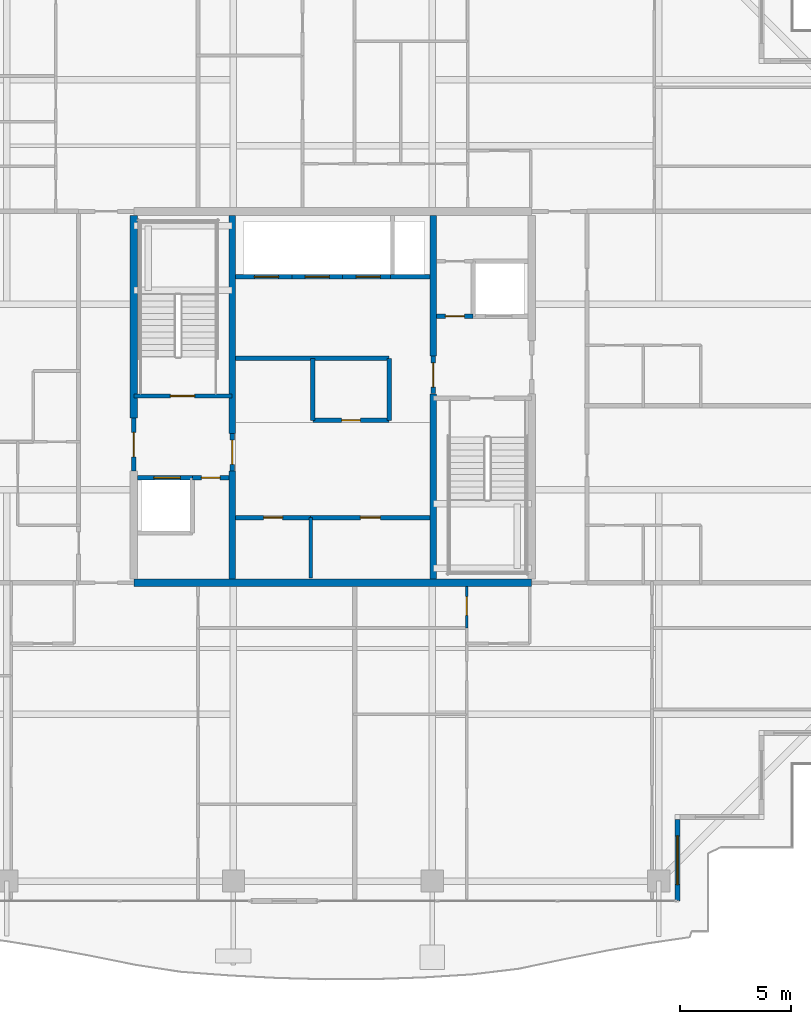
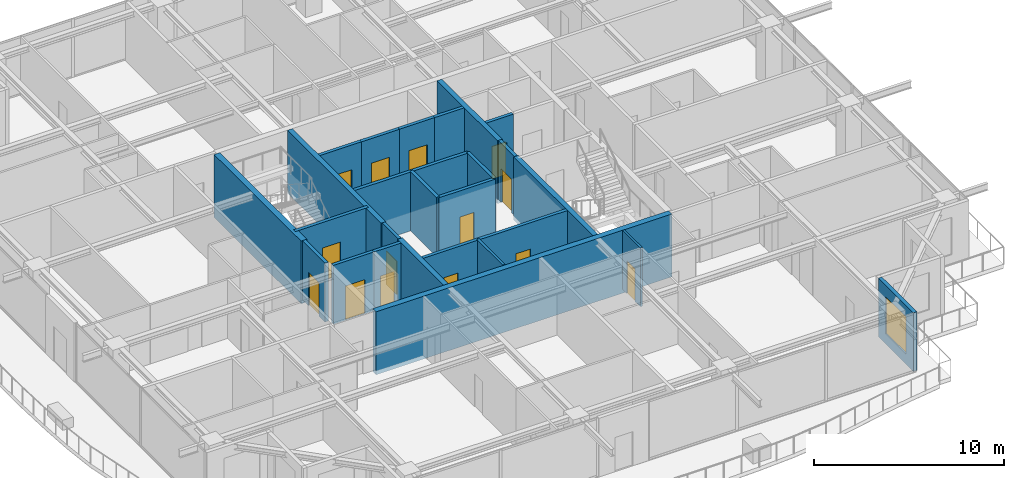
# One storey, part 28 of 38: 26 walls, 14 doors, 1 window, 15 openings.
"""IFC4 building model written with IfcOpenShell, lengths in metres."""

import ifcopenshell
import ifcopenshell.guid

model = None  # the IFC model being written
_history = None  # IfcOwnerHistory: only IFC2X3 demands one
_inside = {}  # id of a spatial element -> (the spatial element, [elements in it])
_under = {}  # id of a project, library or spatial element -> (it, [spatial elements below it])
_declared = {}  # id of a project -> (the project, [libraries it declares])
_typed = {}  # id of a type object -> (the type object, [elements of that type])
_made_of = {}  # id of a material, layer set ... -> (it, [elements and type objects made of it])


def new_model(schema):
    """Start an empty IFC model of exactly this schema.

    Asked for "IFC4X3", IfcOpenShell would pick the latest addendum, in which some entities
    have other attributes; the version numbers below select the first issue.
    IFC2X3 requires an IfcOwnerHistory on every rooted entity: one is made here for all.
    """
    global model, _history
    if schema == "IFC4X3":
        model = ifcopenshell.file(schema_version=(4, 3, 0, 0))
    else:
        model = ifcopenshell.file(schema=schema)
    _inside.clear()
    _under.clear()
    _declared.clear()
    _typed.clear()
    _made_of.clear()
    _history = None
    if model.schema == "IFC2X3":
        org = make("IfcOrganization", Name="unknown")
        user = make(
            "IfcPersonAndOrganization",
            ThePerson=make("IfcPerson", FamilyName="unknown"),
            TheOrganization=org,
        )
        app = make(
            "IfcApplication",
            ApplicationDeveloper=org,
            Version="unknown",
            ApplicationFullName="unknown",
            ApplicationIdentifier="unknown",
        )
        _history = make(
            "IfcOwnerHistory",
            OwningUser=user,
            OwningApplication=app,
            ChangeAction="ADDED",
            CreationDate=0,
        )
    return model


def make(cls, **values):
    """One entity of the class cls with the attributes given. An attribute that is None is left unset."""
    return model.create_entity(
        cls, **{name: value for name, value in values.items() if value is not None}
    )


def rooted(cls, **values):
    """An entity with a GlobalId (a new one), such as an element, a storey or a relation."""
    return make(cls, GlobalId=ifcopenshell.guid.new(), OwnerHistory=_history, **values)


def si_unit(unit_type, name, prefix=None):
    """IfcSIUnit, for example si_unit("LENGTHUNIT", "METRE", prefix="MILLI")."""
    return make("IfcSIUnit", UnitType=unit_type, Prefix=prefix, Name=name)


def assignment(units):
    """IfcUnitAssignment: the units of a project."""
    return None if units is None else make("IfcUnitAssignment", Units=units)


def point(xyz):
    """IfcCartesianPoint."""
    return None if xyz is None else make("IfcCartesianPoint", Coordinates=xyz)


def direction(xyz):
    """IfcDirection."""
    return None if xyz is None else make("IfcDirection", DirectionRatios=xyz)


def frame(location, z_axis=None, x_axis=None):
    """IfcAxis2Placement3D, a coordinate frame: its origin and axes. An axis left out is left unset."""
    return make(
        "IfcAxis2Placement3D",
        Location=point(location),
        Axis=direction(z_axis),
        RefDirection=direction(x_axis),
    )


def frame_2d(location, x_axis=None):
    """IfcAxis2Placement2D, a coordinate frame in the plane: its origin and x axis."""
    return make(
        "IfcAxis2Placement2D", Location=point(location), RefDirection=direction(x_axis)
    )


def origin():
    """The frame at (0, 0, 0) with its axes left unset."""
    return frame((0.0, 0.0, 0.0))


def place(relative_to, where):
    """IfcLocalPlacement: puts the frame where relative to a parent placement (None: the world)."""
    return make(
        "IfcLocalPlacement", PlacementRelTo=relative_to, RelativePlacement=where
    )


def context(
    kind, dimensions, precision=None, world=None, true_north=None, identifier=None
):
    """IfcGeometricRepresentationContext, for example the 3D "Model" context."""
    return make(
        "IfcGeometricRepresentationContext",
        ContextIdentifier=identifier,
        ContextType=kind,
        CoordinateSpaceDimension=dimensions,
        Precision=precision,
        WorldCoordinateSystem=world,
        TrueNorth=true_north,
    )


def subcontext(parent, identifier, kind, view, scale=None):
    """IfcGeometricRepresentationSubContext, for example "Body" below "Model"."""
    return make(
        "IfcGeometricRepresentationSubContext",
        ContextIdentifier=identifier,
        ContextType=kind,
        ParentContext=parent,
        TargetScale=scale,
        TargetView=view,
    )


def project(units=None, contexts=None):
    """IfcProject with its units and contexts."""
    return rooted(
        "IfcProject",
        Name="project",
        RepresentationContexts=contexts,
        UnitsInContext=assignment(units),
    )


def spatial(cls, under=None, at=None, **own):
    """A site, building, storey or space (cls), placed at a placement, below another one or the project."""
    s = rooted(cls, ObjectPlacement=at, **own)
    if under is not None:
        _under.setdefault(under.id(), (under, []))[1].append(s)
    return s


def profile(cls, at=None, kind="AREA", **sizes):
    """A parametric profile (cls). Its sizes go by their IFC names, for example OverallWidth=200.0."""
    return make(cls, ProfileType=kind, Position=at, **sizes)


def rectangle(**sizes):
    """IfcRectangleProfileDef."""
    return profile("IfcRectangleProfileDef", **sizes)


def extrude(swept, where, along, depth):
    """IfcExtrudedAreaSolid: the profile swept, set in the frame where, extruded along a direction by depth."""
    return make(
        "IfcExtrudedAreaSolid",
        SweptArea=swept,
        Position=where,
        ExtrudedDirection=direction(along),
        Depth=depth,
    )


def shape(context_of_items, identifier, shape_type, items):
    """IfcShapeRepresentation: the items that make up one representation, for example the "Body"."""
    return make(
        "IfcShapeRepresentation",
        ContextOfItems=context_of_items,
        RepresentationIdentifier=identifier,
        RepresentationType=shape_type,
        Items=items,
    )


def source(mapping_origin, context_of_items, identifier, shape_type, items):
    """IfcRepresentationMap: a shape defined once, which mapped items show again and again."""
    return make(
        "IfcRepresentationMap",
        MappingOrigin=mapping_origin,
        MappedRepresentation=shape(context_of_items, identifier, shape_type, items),
    )


def transform(
    local_origin,
    x_axis=None,
    y_axis=None,
    z_axis=None,
    scale=None,
    scale2=None,
    scale3=None,
    uniform=True,
):
    """IfcCartesianTransformationOperator3D, or its non-uniform kind. x_axis, y_axis, z_axis: its Axis1, 2, 3."""
    if uniform:
        return make(
            "IfcCartesianTransformationOperator3D",
            Axis1=direction(x_axis),
            Axis2=direction(y_axis),
            LocalOrigin=point(local_origin),
            Scale=scale,
            Axis3=direction(z_axis),
        )
    return make(
        "IfcCartesianTransformationOperator3DnonUniform",
        Axis1=direction(x_axis),
        Axis2=direction(y_axis),
        LocalOrigin=point(local_origin),
        Scale=scale,
        Axis3=direction(z_axis),
        Scale2=scale2,
        Scale3=scale3,
    )


def mapped(mapping_source, mapping_target):
    """IfcMappedItem: shows the shape of a source again, moved by a transform."""
    return make(
        "IfcMappedItem", MappingSource=mapping_source, MappingTarget=mapping_target
    )


def material(Name=None, Category=None):
    """IfcMaterial."""
    return make("IfcMaterial", Name=Name, Category=Category)


def layer(
    of_material, thickness, ventilated=None, Name=None, Category=None, Priority=None
):
    """IfcMaterialLayer: one layer of a wall or slab, of a material (None: an air gap)."""
    return make(
        "IfcMaterialLayer",
        Material=of_material,
        LayerThickness=thickness,
        IsVentilated=ventilated,
        Name=Name,
        Category=Category,
        Priority=Priority,
    )


def layer_set(layers, Name=None):
    """IfcMaterialLayerSet."""
    return make("IfcMaterialLayerSet", MaterialLayers=layers, LayerSetName=Name)


def made_of(thing, what):
    """Note that an element or type object is made of a material, layer set ...; save() writes the relation."""
    if what is not None:
        _made_of.setdefault(what.id(), (what, []))[1].append(thing)
    return thing


def type_object(cls, material=None, **own):
    """A type object (cls), such as IfcWallType, which elements share."""
    return made_of(rooted(cls, **own), material)


def element(
    cls,
    number,
    at=None,
    inside=None,
    cuts=None,
    type_object=None,
    material=None,
    context=None,
    identifier="Body",
    shape_type=None,
    held_by="IfcProductDefinitionShape",
    body=None,
    shapes=None,
    **own,
):
    """One element of the class cls, such as IfcWall. Its Tag is "e" and its number.

    at: its placement. inside: the storey or other place that contains it. cuts: it is an
    opening in that element (IfcRelVoidsElement). A single representation is given by context,
    identifier, shape_type and body (its items); several are given by shapes. held_by: the class
    of the entity that holds the representations. save() writes the other relations.
    """
    e = rooted(cls, Tag="e%d" % number, ObjectPlacement=at, **own)
    if body is not None:
        shapes = [shape(context, identifier, shape_type, body)]
    if shapes is not None:
        e.Representation = make(held_by, Representations=shapes)
    if inside is not None:
        _inside.setdefault(inside.id(), (inside, []))[1].append(e)
    if cuts is not None:
        rooted(
            "IfcRelVoidsElement", RelatingBuildingElement=cuts, RelatedOpeningElement=e
        )
    if type_object is not None:
        _typed.setdefault(type_object.id(), (type_object, []))[1].append(e)
    return made_of(e, material)


def fill(opening, filler):
    """IfcRelFillsElement: the door or window that sits in an opening."""
    return rooted(
        "IfcRelFillsElement",
        RelatingOpeningElement=opening,
        RelatedBuildingElement=filler,
    )


def aggregate(whole, parts):
    """IfcRelAggregates: a whole, such as a stair, and the parts it consists of."""
    return rooted("IfcRelAggregates", RelatingObject=whole, RelatedObjects=parts)


def save(model, path):
    """Write the relations noted so far, then the file.

    IfcRelAggregates (storeys below a building ...), IfcRelContainedInSpatialStructure (elements
    in a storey), IfcRelDefinesByType, IfcRelAssociatesMaterial and IfcRelDeclares: one each for
    every whole, place, type object, material and project.
    """
    for whole, parts in _under.values():
        aggregate(whole, parts)
    for where, things in _inside.values():
        rooted(
            "IfcRelContainedInSpatialStructure",
            RelatedElements=things,
            RelatingStructure=where,
        )
    for kind, things in _typed.values():
        rooted("IfcRelDefinesByType", RelatedObjects=things, RelatingType=kind)
    for what, things in _made_of.values():
        rooted("IfcRelAssociatesMaterial", RelatedObjects=things, RelatingMaterial=what)
    for by, libraries in _declared.values():
        rooted("IfcRelDeclares", RelatingContext=by, RelatedDefinitions=libraries)
    model.write(path)


model = new_model("IFC4")

# Units and contexts
model_context = context("Model", 3, precision=1e-05, world=origin(), true_north=direction((0.0, 1.0)))
body_context = subcontext(model_context, "Body", "Model", "MODEL_VIEW")
ifc_project = project(units=[si_unit("LENGTHUNIT", "METRE"), si_unit("AREAUNIT", "SQUARE_METRE"), si_unit("VOLUMEUNIT", "CUBIC_METRE"), si_unit("PLANEANGLEUNIT", "RADIAN"), si_unit("MASSUNIT", "GRAM", prefix="KILO")], contexts=[model_context])

# Site, building, storey
site_placement = place(None, origin())
site = spatial("IfcSite", under=ifc_project, at=site_placement, CompositionType="ELEMENT")
building_placement = place(site_placement, origin())
building = spatial("IfcBuilding", under=site, at=building_placement, Name="Serunith Strait Residences", CompositionType="ELEMENT")
storey_placement = place(building_placement, frame((0.0, 0.0, 321.800048828125)))
storey = spatial("IfcBuildingStorey", under=building, at=storey_placement, Name="L80", CompositionType="ELEMENT", Elevation=321.800048828125)

# Wall, opening, window
ifc_material_1 = material(Name="Pale-Champagne Aluminium Insulated Panel", Category="aluminium")
ifc_layer_1 = layer(ifc_material_1, 0.219970703125, Name="Pale-Champagne Aluminium Insulated Panel")
ifc_layer_set_1 = layer_set([ifc_layer_1], Name="Pale-Champagne Aluminium Insulated Panel")
wall_type_1 = type_object("IfcWallType", Name="EW-ALUM-220", PredefinedType="ELEMENTEDWALL", material=ifc_layer_set_1)
wall_1_placement = place(storey_placement, frame((48.0, 2.39990234375, 0.0), z_axis=(0.0, 0.0, 1.0), x_axis=(0.0, 1.0, 0.0)))
wall_1 = element("IfcWall", 1, at=wall_1_placement, inside=storey, type_object=wall_type_1, Name="L80 Girih Serrated Corner Wall 02", PredefinedType="ELEMENTEDWALL", context=body_context, shape_type="SweptSolid", body=[
    extrude(rectangle(XDim=3.690185546875, YDim=0.219970703125, at=frame_2d((1.84521484375, 0.0))), origin(), (0.0, 0.0, 1.0), 3.77490234375),
])
opening_1_placement = place(wall_1_placement, frame((0.7451171875, 0.0, 0.64990234375)))
opening_1 = element("IfcOpeningElement", 2, at=opening_1_placement, cuts=wall_1, Name="Opening W-06", PredefinedType="OPENING", context=body_context, shape_type="SweptSolid", body=[
    extrude(rectangle(XDim=2.199951171875, YDim=2.39990234375, at=frame_2d((1.10009765625, 1.199951171875))), frame((0.0, 0.1201171875, 0.0), z_axis=(0.0, -1.0, 0.0), x_axis=(1.0, 0.0, 0.0)), (0.0, 0.0, 1.0), 0.239990234375),
])
ifc_material_2 = material(Name="Crown Penthouse Low-E Operable Window Glass", Category="glass")
window_type = type_object("IfcWindowType", Name="WIN-C6", PartitioningType="TRIPLE_PANEL_VERTICAL", PredefinedType="WINDOW", material=ifc_material_2)
shared_shape_1 = source(origin(), body_context, "Body", "SweptSolid", [
    extrude(rectangle(XDim=2.199951171875, YDim=2.39990234375, at=frame_2d((1.10009765625, 1.199951171875))), frame((0.0, 0.030029296875, 0.0), z_axis=(0.0, -1.0, 0.0), x_axis=(1.0, 0.0, 0.0)), (0.0, 0.0, 1.0), 0.06005859375),
])
window_placement = place(opening_1_placement, origin())
window = element("IfcWindow", 3, at=window_placement, inside=storey, type_object=window_type, Name="L80 Corner Operable Fritted Window 02", OverallHeight=2.39990234375, OverallWidth=2.199951171875, PartitioningType="SINGLE_PANEL", PredefinedType="WINDOW", context=body_context, shape_type="MappedRepresentation", body=[
    mapped(shared_shape_1, transform((0.0, 0.0, 0.0), scale=1.0)),
])
fill(opening_1, window)

# Wall
ifc_material_3 = material(Name="Fire-rated masonry service closet wall", Category="masonry")
ifc_layer_2 = layer(ifc_material_3, 0.14990234375, Name="Fire-rated masonry service closet wall")
ifc_layer_set_2 = layer_set([ifc_layer_2], Name="Fire-rated masonry service closet wall")
wall_type_2 = type_object("IfcWallType", Name="IW-BOH-150", PredefinedType="PARTITIONING", material=ifc_layer_set_2)
wall_2_placement = place(storey_placement, frame((31.39990234375, 17.02001953125, 0.0), z_axis=(0.0, 0.0, 1.0), x_axis=(0.0, 1.0, 0.0)))
element("IfcWall", 4, at=wall_2_placement, inside=storey, type_object=wall_type_2, Name="L80 Partition Wall 014", PredefinedType="PARTITIONING", context=body_context, shape_type="SweptSolid", body=[
    extrude(rectangle(XDim=2.72998046875, YDim=0.14990234375, at=frame_2d((1.364990234375, 0.0))), origin(), (0.0, 0.0, 1.0), 3.7900390625),
])

# Wall, opening, door
ifc_material_4 = material(Name="Lightweight steel-stud gypsum partition", Category="steel")
ifc_layer_3 = layer(ifc_material_4, 0.1201171875, Name="Lightweight steel-stud gypsum partition")
ifc_layer_set_3 = layer_set([ifc_layer_3], Name="Lightweight steel-stud gypsum partition")
wall_type_3 = type_object("IfcWallType", Name="IW-PART-120", PredefinedType="PARTITIONING", material=ifc_layer_set_3)
wall_3_placement = place(storey_placement, frame((38.4599609375, 14.751953125, 0.0), z_axis=(0.0, 0.0, 1.0), x_axis=(0.0, 1.0, 0.0)))
wall_3 = element("IfcWall", 5, at=wall_3_placement, inside=storey, type_object=wall_type_3, Name="L80 Partition Wall 050", PredefinedType="PARTITIONING", context=body_context, shape_type="SweptSolid", body=[
    extrude(rectangle(XDim=1.873046875, YDim=0.1201171875, at=frame_2d((0.9365234375, 0.0))), origin(), (0.0, 0.0, 1.0), 3.7900390625),
])
opening_2_placement = place(wall_3_placement, frame((0.574951171875, 0.0, 0.0)))
opening_2 = element("IfcOpeningElement", 6, at=opening_2_placement, cuts=wall_3, Name="Opening D-BTH850", PredefinedType="OPENING", context=body_context, shape_type="SweptSolid", body=[
    extrude(rectangle(XDim=0.85009765625, YDim=2.10009765625, at=frame_2d((0.425048828125, 1.050048828125))), frame((0.0, 0.070068359375, 0.0), z_axis=(0.0, -1.0, 0.0), x_axis=(1.0, 0.0, 0.0)), (0.0, 0.0, 1.0), 0.14013671875),
])
ifc_material_5 = material(Name="Moisture-resistant timber bathroom door", Category="wood")
door_type_1 = type_object("IfcDoorType", Name="ID-BATH-850", OperationType="NOTDEFINED", PredefinedType="DOOR", material=ifc_material_5)
shared_shape_2 = source(origin(), body_context, "Body", "SweptSolid", [
    extrude(rectangle(XDim=0.85009765625, YDim=2.10009765625, at=frame_2d((0.425048828125, 1.050048828125))), frame((0.0, 0.02490234375, 0.0), z_axis=(0.0, -1.0, 0.0), x_axis=(1.0, 0.0, 0.0)), (0.0, 0.0, 1.0), 0.050048828125),
])
door_1_placement = place(opening_2_placement, origin())
door_1 = element("IfcDoor", 7, at=door_1_placement, inside=storey, type_object=door_type_1, Name="L80 Bathroom 8002 Door", OperationType="SINGLE_SWING_RIGHT", OverallHeight=2.10009765625, OverallWidth=0.85009765625, PredefinedType="DOOR", context=body_context, shape_type="MappedRepresentation", body=[
    mapped(shared_shape_2, transform((0.0, 0.0, 0.0), scale=1.0)),
])
fill(opening_2, door_1)

ifc_material_6 = material(Name="Autoclaved aerated concrete blockwork", Category="masonry")
ifc_layer_4 = layer(ifc_material_6, 0.199951171875, Name="Autoclaved aerated concrete blockwork")
ifc_layer_set_4 = layer_set([ifc_layer_4], Name="Autoclaved aerated concrete blockwork")
wall_type_4 = type_object("IfcWallType", Name="IW-SHAFT-200", PredefinedType="STANDARD", material=ifc_layer_set_4)
wall_4_placement = place(storey_placement, frame((23.39990234375, 25.25, 0.0), z_axis=(0.0, 0.0, 1.0), x_axis=(1.0, 0.0, 0.0)))
wall_4 = element("IfcWall", 8, at=wall_4_placement, inside=storey, type_object=wall_type_4, Name="L80 ST-1 South Shaft Wall", PredefinedType="STANDARD", context=body_context, shape_type="SweptSolid", body=[
    extrude(rectangle(XDim=4.4501953125, YDim=0.199951171875, at=frame_2d((2.22509765625, 0.0))), origin(), (0.0, 0.0, 1.0), 3.7900390625),
])
opening_3_placement = place(wall_4_placement, frame((1.64990234375, 0.0, 0.0)))
opening_3 = element("IfcOpeningElement", 9, at=opening_3_placement, cuts=wall_4, Name="Opening FD-1100", PredefinedType="OPENING", context=body_context, shape_type="SweptSolid", body=[
    extrude(rectangle(XDim=1.10009765625, YDim=2.14990234375, at=frame_2d((0.550048828125, 1.074951171875))), frame((0.0, 0.10986328125, 0.0), z_axis=(0.0, -1.0, 0.0), x_axis=(1.0, 0.0, 0.0)), (0.0, 0.0, 1.0), 0.219970703125),
])
ifc_material_7 = material(Name="Galvanised steel fire door leaf", Category="steel")
door_type_2 = type_object("IfcDoorType", Name="FD-STAIR-1100", OperationType="NOTDEFINED", PredefinedType="DOOR", material=ifc_material_7)
shared_shape_3 = source(origin(), body_context, "Body", "SweptSolid", [
    extrude(rectangle(XDim=1.10009765625, YDim=2.14990234375, at=frame_2d((0.550048828125, 1.074951171875))), frame((0.0, 0.02490234375, 0.0), z_axis=(0.0, -1.0, 0.0), x_axis=(1.0, 0.0, 0.0)), (0.0, 0.0, 1.0), 0.050048828125),
])
door_2_placement = place(opening_3_placement, origin())
door_2 = element("IfcDoor", 10, at=door_2_placement, inside=storey, type_object=door_type_2, Name="L80 ST-1 Escape Stair Door", OperationType="SINGLE_SWING_RIGHT", OverallHeight=2.14990234375, OverallWidth=1.10009765625, PredefinedType="DOOR", context=body_context, shape_type="MappedRepresentation", body=[
    mapped(shared_shape_3, transform((0.0, 0.0, 0.0), scale=1.0)),
])
fill(opening_3, door_2)

wall_5_placement = place(storey_placement, frame((23.574951171875, 21.550048828125, 0.0), z_axis=(0.0, 0.0, 1.0), x_axis=(1.0, 0.0, 0.0)))
wall_5 = element("IfcWall", 11, at=wall_5_placement, inside=storey, type_object=wall_type_4, Name="L80 FL-1 North Shaft Wall", PredefinedType="STANDARD", context=body_context, shape_type="SweptSolid", body=[
    extrude(rectangle(XDim=2.47509765625, YDim=0.199951171875, at=frame_2d((1.237548828125, 0.0))), origin(), (0.0, 0.0, 1.0), 3.7900390625),
])
opening_4_placement = place(wall_5_placement, frame((0.72509765625, 0.0, 0.0)))
opening_4 = element("IfcOpeningElement", 12, at=opening_4_placement, cuts=wall_5, Name="Opening LD-FF1200", PredefinedType="OPENING", context=body_context, shape_type="SweptSolid", body=[
    extrude(rectangle(XDim=1.199951171875, YDim=2.199951171875, at=frame_2d((0.60009765625, 1.10009765625))), frame((0.0, 0.10986328125, 0.0), z_axis=(0.0, -1.0, 0.0), x_axis=(1.0, 0.0, 0.0)), (0.0, 0.0, 1.0), 0.219970703125),
])
ifc_material_8 = material(Name="Brushed stainless steel landing door", Category="steel")
door_type_3 = type_object("IfcDoorType", Name="LD-FF-1200", OperationType="DOUBLE_DOOR_SLIDING", PredefinedType="DOOR", material=ifc_material_8)
shared_shape_4 = source(origin(), body_context, "Body", "SweptSolid", [
    extrude(rectangle(XDim=1.199951171875, YDim=2.199951171875, at=frame_2d((0.60009765625, 1.10009765625))), frame((0.0, 0.02490234375, 0.0), z_axis=(0.0, -1.0, 0.0), x_axis=(1.0, 0.0, 0.0)), (0.0, 0.0, 1.0), 0.050048828125),
])
door_3_placement = place(opening_4_placement, origin())
door_3 = element("IfcDoor", 13, at=door_3_placement, inside=storey, type_object=door_type_3, Name="L80 FL-1 Landing Door", OperationType="DOUBLE_DOOR_SLIDING", OverallHeight=2.199951171875, OverallWidth=1.199951171875, PredefinedType="DOOR", context=body_context, shape_type="MappedRepresentation", body=[
    mapped(shared_shape_4, transform((0.0, 0.0, 0.0), scale=1.0)),
])
fill(opening_4, door_3)

wall_6_placement = place(storey_placement, frame((28.0, 30.64990234375, 0.0), z_axis=(0.0, 0.0, 1.0), x_axis=(1.0, 0.0, 0.0)))
wall_6 = element("IfcWall", 14, at=wall_6_placement, inside=storey, type_object=wall_type_4, Name="L80 PL-7 South Shaft Wall", PredefinedType="STANDARD", context=body_context, shape_type="SweptSolid", body=[
    extrude(rectangle(XDim=2.550048828125, YDim=0.199951171875, at=frame_2d((1.27490234375, 0.0))), origin(), (0.0, 0.0, 1.0), 3.7900390625),
])
opening_5_placement = place(wall_6_placement, frame((0.85009765625, 0.0, 0.0)))
opening_5 = element("IfcOpeningElement", 15, at=opening_5_placement, cuts=wall_6, Name="Opening LD-1100", PredefinedType="OPENING", context=body_context, shape_type="SweptSolid", body=[
    extrude(rectangle(XDim=1.10009765625, YDim=2.199951171875, at=frame_2d((0.550048828125, 1.10009765625))), frame((0.0, 0.10986328125, 0.0), z_axis=(0.0, -1.0, 0.0), x_axis=(1.0, 0.0, 0.0)), (0.0, 0.0, 1.0), 0.219970703125),
])
ifc_material_9 = material(Name="Pale-champagne stainless landing door")
door_type_4 = type_object("IfcDoorType", Name="LD-LIFT-1100", OperationType="DOUBLE_DOOR_SLIDING", PredefinedType="DOOR", material=ifc_material_9)
shared_shape_5 = source(origin(), body_context, "Body", "SweptSolid", [
    extrude(rectangle(XDim=1.10009765625, YDim=2.199951171875, at=frame_2d((0.550048828125, 1.10009765625))), frame((0.0, 0.02490234375, 0.0), z_axis=(0.0, -1.0, 0.0), x_axis=(1.0, 0.0, 0.0)), (0.0, 0.0, 1.0), 0.050048828125),
])
door_4_placement = place(opening_5_placement, origin())
door_4 = element("IfcDoor", 16, at=door_4_placement, inside=storey, type_object=door_type_4, Name="L80 PL-7 Landing Door", OperationType="DOUBLE_DOOR_SLIDING", OverallHeight=2.199951171875, OverallWidth=1.10009765625, PredefinedType="DOOR", context=body_context, shape_type="MappedRepresentation", body=[
    mapped(shared_shape_5, transform((0.0, 0.0, 0.0), scale=1.0)),
])
fill(opening_5, door_4)

wall_7_placement = place(storey_placement, frame((30.550048828125, 30.64990234375, 0.0), z_axis=(0.0, 0.0, 1.0), x_axis=(1.0, 0.0, 0.0)))
wall_7 = element("IfcWall", 17, at=wall_7_placement, inside=storey, type_object=wall_type_4, Name="L80 PL-8 South Shaft Wall", PredefinedType="STANDARD", context=body_context, shape_type="SweptSolid", body=[
    extrude(rectangle(XDim=2.300048828125, YDim=0.199951171875, at=frame_2d((1.14990234375, 0.0))), origin(), (0.0, 0.0, 1.0), 3.7900390625),
])
opening_6_placement = place(wall_7_placement, frame((0.60009765625, 0.0, 0.0)))
opening_6 = element("IfcOpeningElement", 18, at=opening_6_placement, cuts=wall_7, Name="Opening LD-1100", PredefinedType="OPENING", context=body_context, shape_type="SweptSolid", body=[
    extrude(rectangle(XDim=1.10009765625, YDim=2.199951171875, at=frame_2d((0.550048828125, 1.10009765625))), frame((0.0, 0.10986328125, 0.0), z_axis=(0.0, -1.0, 0.0), x_axis=(1.0, 0.0, 0.0)), (0.0, 0.0, 1.0), 0.219970703125),
])
door_5_placement = place(opening_6_placement, origin())
door_5 = element("IfcDoor", 19, at=door_5_placement, inside=storey, type_object=door_type_4, Name="L80 PL-8 Landing Door", OperationType="DOUBLE_DOOR_SLIDING", OverallHeight=2.199951171875, OverallWidth=1.10009765625, PredefinedType="DOOR", context=body_context, shape_type="MappedRepresentation", body=[
    mapped(shared_shape_5, transform((0.0, 0.0, 0.0), scale=1.0)),
])
fill(opening_6, door_5)

wall_8_placement = place(storey_placement, frame((32.85009765625, 30.64990234375, 0.0), z_axis=(0.0, 0.0, 1.0), x_axis=(1.0, 0.0, 0.0)))
wall_8 = element("IfcWall", 20, at=wall_8_placement, inside=storey, type_object=wall_type_4, Name="L80 PL-9 South Shaft Wall", PredefinedType="STANDARD", context=body_context, shape_type="SweptSolid", body=[
    extrude(rectangle(XDim=2.14990234375, YDim=0.199951171875, at=frame_2d((1.074951171875, 0.0))), origin(), (0.0, 0.0, 1.0), 3.7900390625),
])
opening_7_placement = place(wall_8_placement, frame((0.60009765625, 0.0, 0.0)))
opening_7 = element("IfcOpeningElement", 21, at=opening_7_placement, cuts=wall_8, Name="Opening LD-1100", PredefinedType="OPENING", context=body_context, shape_type="SweptSolid", body=[
    extrude(rectangle(XDim=1.10009765625, YDim=2.199951171875, at=frame_2d((0.550048828125, 1.10009765625))), frame((0.0, 0.10986328125, 0.0), z_axis=(0.0, -1.0, 0.0), x_axis=(1.0, 0.0, 0.0)), (0.0, 0.0, 1.0), 0.219970703125),
])
door_6_placement = place(opening_7_placement, origin())
door_6 = element("IfcDoor", 22, at=door_6_placement, inside=storey, type_object=door_type_4, Name="L80 PL-9 Landing Door", OperationType="DOUBLE_DOOR_SLIDING", OverallHeight=2.199951171875, OverallWidth=1.10009765625, PredefinedType="DOOR", context=body_context, shape_type="MappedRepresentation", body=[
    mapped(shared_shape_5, transform((0.0, 0.0, 0.0), scale=1.0)),
])
fill(opening_7, door_6)

# Wall
wall_9_placement = place(storey_placement, frame((35.0, 30.64990234375, 0.0), z_axis=(0.0, 0.0, 1.0), x_axis=(1.0, 0.0, 0.0)))
element("IfcWall", 23, at=wall_9_placement, inside=storey, type_object=wall_type_4, Name="L80 SL-1 South Shaft Wall", PredefinedType="STANDARD", context=body_context, shape_type="SweptSolid", body=[
    extrude(rectangle(XDim=1.800048828125, YDim=0.199951171875, at=frame_2d((0.89990234375, 0.0))), origin(), (0.0, 0.0, 1.0), 3.7900390625),
])

# Wall, opening, door
wall_10_placement = place(storey_placement, frame((26.052001953125, 21.550048828125, 0.0), z_axis=(0.0, 0.0, 1.0), x_axis=(1.0, 0.0, 0.0)))
wall_10 = element("IfcWall", 24, at=wall_10_placement, inside=storey, type_object=wall_type_4, Name="L80 Partition Wall 003", PredefinedType="STANDARD", context=body_context, shape_type="SweptSolid", body=[
    extrude(rectangle(XDim=1.64794921875, YDim=0.199951171875, at=frame_2d((0.823974609375, 0.0))), origin(), (0.0, 0.0, 1.0), 3.7900390625),
])
opening_8_placement = place(wall_10_placement, frame((0.39892578125, 0.0, 0.0)))
opening_8 = element("IfcOpeningElement", 25, at=opening_8_placement, cuts=wall_10, Name="Opening FD-850", PredefinedType="OPENING", context=body_context, shape_type="SweptSolid", body=[
    extrude(rectangle(XDim=0.85009765625, YDim=2.10009765625, at=frame_2d((0.425048828125, 1.050048828125))), frame((0.0, 0.10986328125, 0.0), z_axis=(0.0, -1.0, 0.0), x_axis=(1.0, 0.0, 0.0)), (0.0, 0.0, 1.0), 0.219970703125),
])
ifc_material_10 = material(Name="Powder-coated steel service closet door", Category="steel")
door_type_5 = type_object("IfcDoorType", Name="FD-BOH-850", OperationType="NOTDEFINED", PredefinedType="DOOR", material=ifc_material_10)
door_7_placement = place(opening_8_placement, origin())
door_7 = element("IfcDoor", 26, at=door_7_placement, inside=storey, type_object=door_type_5, Name="L80 South-West Core Service Door", OperationType="SINGLE_SWING_LEFT", OverallHeight=2.10009765625, OverallWidth=0.85009765625, PredefinedType="DOOR", context=body_context, shape_type="MappedRepresentation", body=[
    mapped(shared_shape_2, transform((0.0, 0.0, 0.0), scale=1.0)),
])
fill(opening_8, door_7)

wall_11_placement = place(storey_placement, frame((37.10009765625, 28.85009765625, 0.0), z_axis=(0.0, 0.0, 1.0), x_axis=(1.0, 0.0, 0.0)))
wall_11 = element("IfcWall", 27, at=wall_11_placement, inside=storey, type_object=wall_type_4, Name="L80 Partition Wall 006", PredefinedType="STANDARD", context=body_context, shape_type="SweptSolid", body=[
    extrude(rectangle(XDim=1.64794921875, YDim=0.199951171875, at=frame_2d((0.823974609375, 0.0))), origin(), (0.0, 0.0, 1.0), 3.7900390625),
])
opening_9_placement = place(wall_11_placement, frame((0.39892578125, 0.0, 0.0)))
opening_9 = element("IfcOpeningElement", 28, at=opening_9_placement, cuts=wall_11, Name="Opening FD-850", PredefinedType="OPENING", context=body_context, shape_type="SweptSolid", body=[
    extrude(rectangle(XDim=0.85009765625, YDim=2.10009765625, at=frame_2d((0.425048828125, 1.050048828125))), frame((0.0, 0.10986328125, 0.0), z_axis=(0.0, -1.0, 0.0), x_axis=(1.0, 0.0, 0.0)), (0.0, 0.0, 1.0), 0.219970703125),
])
door_8_placement = place(opening_9_placement, origin())
door_8 = element("IfcDoor", 29, at=door_8_placement, inside=storey, type_object=door_type_5, Name="L80 North-East Core Service Door", OperationType="SINGLE_SWING_RIGHT", OverallHeight=2.10009765625, OverallWidth=0.85009765625, PredefinedType="DOOR", context=body_context, shape_type="MappedRepresentation", body=[
    mapped(shared_shape_2, transform((0.0, 0.0, 0.0), scale=1.0)),
])
fill(opening_9, door_8)

wall_12_placement = place(storey_placement, frame((23.39990234375, 21.85205078125, 0.0), z_axis=(0.0, 0.0, 1.0), x_axis=(0.0, 1.0, 0.0)))
wall_12 = element("IfcWall", 30, at=wall_12_placement, inside=storey, type_object=wall_type_4, Name="L80 Partition Wall 007", PredefinedType="STANDARD", context=body_context, shape_type="SweptSolid", body=[
    extrude(rectangle(XDim=2.39599609375, YDim=0.199951171875, at=frame_2d((1.197998046875, 0.0))), origin(), (0.0, 0.0, 1.0), 3.7900390625),
])
opening_10_placement = place(wall_12_placement, frame((0.64794921875, 0.0, 0.0)))
opening_10 = element("IfcOpeningElement", 31, at=opening_10_placement, cuts=wall_12, Name="Opening FD-FFL", PredefinedType="OPENING", context=body_context, shape_type="SweptSolid", body=[
    extrude(rectangle(XDim=1.10009765625, YDim=2.14990234375, at=frame_2d((0.550048828125, 1.074951171875))), frame((0.0, 0.10986328125, 0.0), z_axis=(0.0, -1.0, 0.0), x_axis=(1.0, 0.0, 0.0)), (0.0, 0.0, 1.0), 0.219970703125),
])
ifc_material_11 = material(Name="Glazed steel smoke-lobby fire door", Category="steel")
door_type_6 = type_object("IfcDoorType", Name="FD-FFL-1100", OperationType="NOTDEFINED", PredefinedType="DOOR", material=ifc_material_11)
door_9_placement = place(opening_10_placement, origin())
door_9 = element("IfcDoor", 32, at=door_9_placement, inside=storey, type_object=door_type_6, Name="L80 FFL-1 Corridor Fire Door", OperationType="SINGLE_SWING_LEFT", OverallHeight=2.14990234375, OverallWidth=1.10009765625, PredefinedType="DOOR", context=body_context, shape_type="MappedRepresentation", body=[
    mapped(shared_shape_3, transform((0.0, 0.0, 0.0), scale=1.0)),
])
fill(opening_10, door_9)

wall_13_placement = place(storey_placement, frame((27.85009765625, 21.85205078125, 0.0), z_axis=(0.0, 0.0, 1.0), x_axis=(0.0, 1.0, 0.0)))
wall_13 = element("IfcWall", 33, at=wall_13_placement, inside=storey, type_object=wall_type_4, Name="L80 Partition Wall 009", PredefinedType="STANDARD", context=body_context, shape_type="SweptSolid", body=[
    extrude(rectangle(XDim=1.696044921875, YDim=0.199951171875, at=frame_2d((0.84814453125, 0.0))), origin(), (0.0, 0.0, 1.0), 3.7900390625),
])
opening_11_placement = place(wall_13_placement, frame((0.298095703125, 0.0, 0.0)))
opening_11 = element("IfcOpeningElement", 34, at=opening_11_placement, cuts=wall_13, Name="Opening FD-FFL", PredefinedType="OPENING", context=body_context, shape_type="SweptSolid", body=[
    extrude(rectangle(XDim=1.10009765625, YDim=2.14990234375, at=frame_2d((0.550048828125, 1.074951171875))), frame((0.0, 0.10986328125, 0.0), z_axis=(0.0, -1.0, 0.0), x_axis=(1.0, 0.0, 0.0)), (0.0, 0.0, 1.0), 0.219970703125),
])
door_10_placement = place(opening_11_placement, origin())
door_10 = element("IfcDoor", 35, at=door_10_placement, inside=storey, type_object=door_type_6, Name="L80 FFL-1 Lift Lobby Door", OperationType="SINGLE_SWING_LEFT", OverallHeight=2.14990234375, OverallWidth=1.10009765625, PredefinedType="DOOR", context=body_context, shape_type="MappedRepresentation", body=[
    mapped(shared_shape_3, transform((0.0, 0.0, 0.0), scale=1.0)),
])
fill(opening_11, door_10)

wall_14_placement = place(storey_placement, frame((36.949951171875, 25.35205078125, 0.0), z_axis=(0.0, 0.0, 1.0), x_axis=(0.0, 1.0, 0.0)))
wall_14 = element("IfcWall", 36, at=wall_14_placement, inside=storey, type_object=wall_type_4, Name="L80 Partition Wall 010", PredefinedType="STANDARD", context=body_context, shape_type="SweptSolid", body=[
    extrude(rectangle(XDim=1.696044921875, YDim=0.199951171875, at=frame_2d((0.84814453125, 0.0))), origin(), (0.0, 0.0, 1.0), 3.7900390625),
])
opening_12_placement = place(wall_14_placement, frame((0.298095703125, 0.0, 0.0)))
opening_12 = element("IfcOpeningElement", 37, at=opening_12_placement, cuts=wall_14, Name="Opening FD-FFL", PredefinedType="OPENING", context=body_context, shape_type="SweptSolid", body=[
    extrude(rectangle(XDim=1.10009765625, YDim=2.14990234375, at=frame_2d((0.550048828125, 1.074951171875))), frame((0.0, 0.10986328125, 0.0), z_axis=(0.0, -1.0, 0.0), x_axis=(1.0, 0.0, 0.0)), (0.0, 0.0, 1.0), 0.219970703125),
])
door_11_placement = place(opening_12_placement, origin())
door_11 = element("IfcDoor", 38, at=door_11_placement, inside=storey, type_object=door_type_6, Name="L80 FFL-2 Lift Lobby Door", OperationType="SINGLE_SWING_RIGHT", OverallHeight=2.14990234375, OverallWidth=1.10009765625, PredefinedType="DOOR", context=body_context, shape_type="MappedRepresentation", body=[
    mapped(shared_shape_3, transform((0.0, 0.0, 0.0), scale=1.0)),
])
fill(opening_12, door_11)

wall_15_placement = place(storey_placement, frame((28.0, 19.75, 0.0), z_axis=(0.0, 0.0, 1.0), x_axis=(1.0, 0.0, 0.0)))
wall_15 = element("IfcWall", 39, at=wall_15_placement, inside=storey, type_object=wall_type_4, Name="L80 Partition Wall 012", PredefinedType="STANDARD", context=body_context, shape_type="SweptSolid", body=[
    extrude(rectangle(XDim=3.39990234375, YDim=0.199951171875, at=frame_2d((1.699951171875, 0.0))), origin(), (0.0, 0.0, 1.0), 3.7900390625),
])
opening_13_placement = place(wall_15_placement, frame((1.27490234375, 0.0, 0.0)))
opening_13 = element("IfcOpeningElement", 40, at=opening_13_placement, cuts=wall_15, Name="Opening FD-850", PredefinedType="OPENING", context=body_context, shape_type="SweptSolid", body=[
    extrude(rectangle(XDim=0.85009765625, YDim=2.10009765625, at=frame_2d((0.425048828125, 1.050048828125))), frame((0.0, 0.10986328125, 0.0), z_axis=(0.0, -1.0, 0.0), x_axis=(1.0, 0.0, 0.0)), (0.0, 0.0, 1.0), 0.219970703125),
])
door_12_placement = place(opening_13_placement, origin())
door_12 = element("IfcDoor", 41, at=door_12_placement, inside=storey, type_object=door_type_5, Name="L80 Booster Pump Door", OperationType="SINGLE_SWING_RIGHT", OverallHeight=2.10009765625, OverallWidth=0.85009765625, PredefinedType="DOOR", context=body_context, shape_type="MappedRepresentation", body=[
    mapped(shared_shape_2, transform((0.0, 0.0, 0.0), scale=1.0)),
])
fill(opening_13, door_12)

wall_16_placement = place(storey_placement, frame((31.402099609375, 19.75, 0.0), z_axis=(0.0, 0.0, 1.0), x_axis=(1.0, 0.0, 0.0)))
wall_16 = element("IfcWall", 42, at=wall_16_placement, inside=storey, type_object=wall_type_4, Name="L80 Partition Wall 013", PredefinedType="STANDARD", context=body_context, shape_type="SweptSolid", body=[
    extrude(rectangle(XDim=5.39794921875, YDim=0.199951171875, at=frame_2d((2.698974609375, 0.0))), origin(), (0.0, 0.0, 1.0), 3.7900390625),
])
opening_14_placement = place(wall_16_placement, frame((2.2490234375, 0.0, 0.0)))
opening_14 = element("IfcOpeningElement", 43, at=opening_14_placement, cuts=wall_16, Name="Opening FD-900", PredefinedType="OPENING", context=body_context, shape_type="SweptSolid", body=[
    extrude(rectangle(XDim=0.89990234375, YDim=2.10009765625, at=frame_2d((0.449951171875, 1.050048828125))), frame((0.0, 0.10986328125, 0.0), z_axis=(0.0, -1.0, 0.0), x_axis=(1.0, 0.0, 0.0)), (0.0, 0.0, 1.0), 0.219970703125),
])
ifc_material_12 = material(Name="Powder-coated steel riser door", Category="steel")
door_type_7 = type_object("IfcDoorType", Name="FD-BOH-900", OperationType="NOTDEFINED", PredefinedType="DOOR", material=ifc_material_12)
shared_shape_6 = source(origin(), body_context, "Body", "SweptSolid", [
    extrude(rectangle(XDim=0.89990234375, YDim=2.10009765625, at=frame_2d((0.449951171875, 1.050048828125))), frame((0.0, 0.02490234375, 0.0), z_axis=(0.0, -1.0, 0.0), x_axis=(1.0, 0.0, 0.0)), (0.0, 0.0, 1.0), 0.050048828125),
])
door_13_placement = place(opening_14_placement, origin())
door_13 = element("IfcDoor", 44, at=door_13_placement, inside=storey, type_object=door_type_7, Name="L80 Zone Switchroom Door", OperationType="SINGLE_SWING_LEFT", OverallHeight=2.10009765625, OverallWidth=0.89990234375, PredefinedType="DOOR", context=body_context, shape_type="MappedRepresentation", body=[
    mapped(shared_shape_6, transform((0.0, 0.0, 0.0), scale=1.0)),
])
fill(opening_14, door_13)

# Walls
wall_17_placement = place(storey_placement, frame((28.0, 26.949951171875, 0.0), z_axis=(0.0, 0.0, 1.0), x_axis=(1.0, 0.0, 0.0)))
element("IfcWall", 45, at=wall_17_placement, inside=storey, type_object=wall_type_4, Name="L80 Partition Wall 015", PredefinedType="STANDARD", context=body_context, shape_type="SweptSolid", body=[
    extrude(rectangle(XDim=6.949951171875, YDim=0.199951171875, at=frame_2d((3.47509765625, 0.0))), origin(), (0.0, 0.0, 1.0), 3.7900390625),
])
wall_18_placement = place(storey_placement, frame((34.949951171875, 24.14990234375, 0.0), z_axis=(0.0, 0.0, 1.0), x_axis=(0.0, 1.0, 0.0)))
element("IfcWall", 46, at=wall_18_placement, inside=storey, type_object=wall_type_4, Name="L80 Partition Wall 016", PredefinedType="STANDARD", context=body_context, shape_type="SweptSolid", body=[
    extrude(rectangle(XDim=2.800048828125, YDim=0.199951171875, at=frame_2d((1.39990234375, 0.0))), origin(), (0.0, 0.0, 1.0), 3.7900390625),
])

# Wall, opening, door
wall_19_placement = place(storey_placement, frame((31.5, 24.14990234375, 0.0), z_axis=(0.0, 0.0, 1.0), x_axis=(1.0, 0.0, 0.0)))
wall_19 = element("IfcWall", 47, at=wall_19_placement, inside=storey, type_object=wall_type_4, Name="L80 Partition Wall 017", PredefinedType="STANDARD", context=body_context, shape_type="SweptSolid", body=[
    extrude(rectangle(XDim=3.449951171875, YDim=0.199951171875, at=frame_2d((1.72509765625, 0.0))), origin(), (0.0, 0.0, 1.0), 3.7900390625),
])
opening_15_placement = place(wall_19_placement, frame((1.300048828125, 0.0, 0.0)))
opening_15 = element("IfcOpeningElement", 48, at=opening_15_placement, cuts=wall_19, Name="Opening FD-850", PredefinedType="OPENING", context=body_context, shape_type="SweptSolid", body=[
    extrude(rectangle(XDim=0.85009765625, YDim=2.10009765625, at=frame_2d((0.425048828125, 1.050048828125))), frame((0.0, 0.10986328125, 0.0), z_axis=(0.0, -1.0, 0.0), x_axis=(1.0, 0.0, 0.0)), (0.0, 0.0, 1.0), 0.219970703125),
])
door_14_placement = place(opening_15_placement, origin())
door_14 = element("IfcDoor", 49, at=door_14_placement, inside=storey, type_object=door_type_5, Name="L80 Upper Meter Room Door", OperationType="SINGLE_SWING_RIGHT", OverallHeight=2.10009765625, OverallWidth=0.85009765625, PredefinedType="DOOR", context=body_context, shape_type="MappedRepresentation", body=[
    mapped(shared_shape_2, transform((0.0, 0.0, 0.0), scale=1.0)),
])
fill(opening_15, door_14)

# Walls
wall_20_placement = place(storey_placement, frame((31.5, 24.14990234375, 0.0), z_axis=(0.0, 0.0, 1.0), x_axis=(0.0, 1.0, 0.0)))
element("IfcWall", 50, at=wall_20_placement, inside=storey, type_object=wall_type_4, Name="L80 Partition Wall 018", PredefinedType="STANDARD", context=body_context, shape_type="SweptSolid", body=[
    extrude(rectangle(XDim=2.800048828125, YDim=0.199951171875, at=frame_2d((1.39990234375, 0.0))), origin(), (0.0, 0.0, 1.0), 3.7900390625),
])
ifc_material_13 = material(Name="Concrete C60/75", Category="concrete")
ifc_layer_5 = layer(ifc_material_13, 0.300048828125, Name="Concrete C60/75")
ifc_layer_set_5 = layer_set([ifc_layer_5], Name="Concrete C60/75")
wall_type_5 = type_object("IfcWallType", Name="SW-300-C60", PredefinedType="SHEAR", material=ifc_layer_set_5)
wall_21_placement = place(storey_placement, frame((27.85009765625, 16.97509765625, -0.260009765625), z_axis=(0.0, 0.0, 1.0), x_axis=(0.0, 1.0, 0.0)))
element("IfcWall", 51, at=wall_21_placement, inside=storey, type_object=wall_type_5, Name="L80 Core Internal West Web South Pier", PredefinedType="SHEAR", context=body_context, shape_type="SweptSolid", body=[
    extrude(rectangle(XDim=4.875, YDim=0.300048828125, at=frame_2d((2.4375, 0.0))), origin(), (0.0, 0.0, 1.0), 4.0478515625),
])
wall_22_placement = place(storey_placement, frame((27.85009765625, 23.550048828125, -0.260009765625), z_axis=(0.0, 0.0, 1.0), x_axis=(0.0, 1.0, 0.0)))
element("IfcWall", 52, at=wall_22_placement, inside=storey, type_object=wall_type_5, Name="L80 Core Internal West Web North Pier", PredefinedType="SHEAR", context=body_context, shape_type="SweptSolid", body=[
    extrude(rectangle(XDim=9.875, YDim=0.300048828125, at=frame_2d((4.9375, 0.0))), origin(), (0.0, 0.0, 1.0), 4.0478515625),
])
wall_23_placement = place(storey_placement, frame((36.949951171875, 16.97509765625, -0.260009765625), z_axis=(0.0, 0.0, 1.0), x_axis=(0.0, 1.0, 0.0)))
element("IfcWall", 53, at=wall_23_placement, inside=storey, type_object=wall_type_5, Name="L80 Core Internal East Web South Pier", PredefinedType="SHEAR", context=body_context, shape_type="SweptSolid", body=[
    extrude(rectangle(XDim=8.375, YDim=0.300048828125, at=frame_2d((4.1875, 0.0))), origin(), (0.0, 0.0, 1.0), 4.0478515625),
])
wall_24_placement = place(storey_placement, frame((36.949951171875, 27.050048828125, -0.260009765625), z_axis=(0.0, 0.0, 1.0), x_axis=(0.0, 1.0, 0.0)))
element("IfcWall", 54, at=wall_24_placement, inside=storey, type_object=wall_type_5, Name="L80 Core Internal East Web North Pier", PredefinedType="SHEAR", context=body_context, shape_type="SweptSolid", body=[
    extrude(rectangle(XDim=6.375, YDim=0.300048828125, at=frame_2d((3.1875, 0.0))), origin(), (0.0, 0.0, 1.0), 4.0478515625),
])
ifc_layer_6 = layer(ifc_material_13, 0.35009765625, Name="Concrete C60/75")
ifc_layer_set_6 = layer_set([ifc_layer_6], Name="Concrete C60/75")
wall_type_6 = type_object("IfcWallType", Name="SW-350-C60", PredefinedType="SHEAR", material=ifc_layer_set_6)
wall_25_placement = place(storey_placement, frame((23.39990234375, 16.800048828125, -0.260009765625), z_axis=(0.0, 0.0, 1.0), x_axis=(1.0, 0.0, 0.0)))
element("IfcWall", 55, at=wall_25_placement, inside=storey, type_object=wall_type_6, Name="L80 Core South Shear Wall", PredefinedType="SHEAR", context=body_context, shape_type="SweptSolid", body=[
    extrude(rectangle(XDim=18.0, YDim=0.35009765625, at=frame_2d((9.0, 0.0))), origin(), (0.0, 0.0, 1.0), 4.0478515625),
])
wall_26_placement = place(storey_placement, frame((23.39990234375, 24.25, -0.260009765625), z_axis=(0.0, 0.0, 1.0), x_axis=(0.0, 1.0, 0.0)))
element("IfcWall", 56, at=wall_26_placement, inside=storey, type_object=wall_type_6, Name="L80 Core West Shear Wall North Pier", PredefinedType="SHEAR", context=body_context, shape_type="SweptSolid", body=[
    extrude(rectangle(XDim=9.175048828125, YDim=0.35009765625, at=frame_2d((4.58740234375, 0.0))), origin(), (0.0, 0.0, 1.0), 4.0478515625),
])

save(model, "model.ifc")
